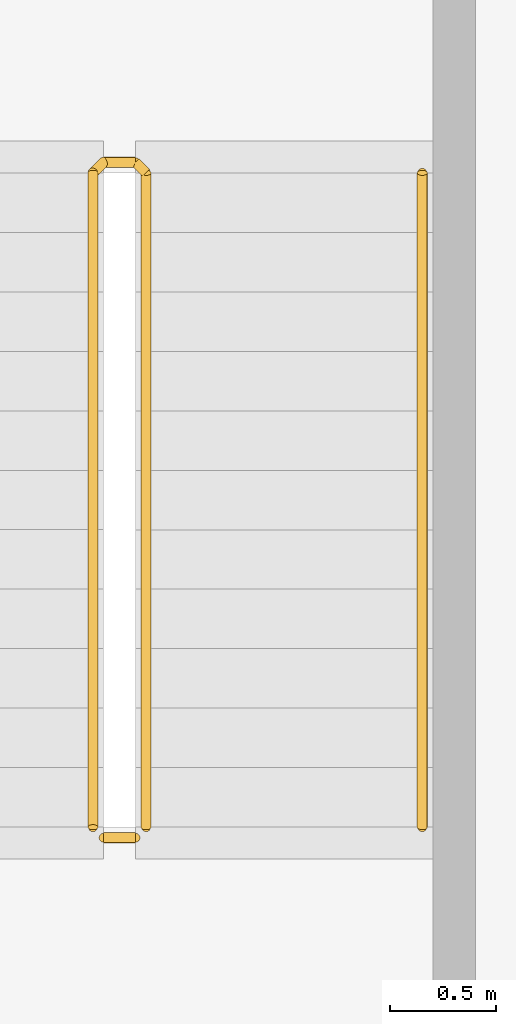
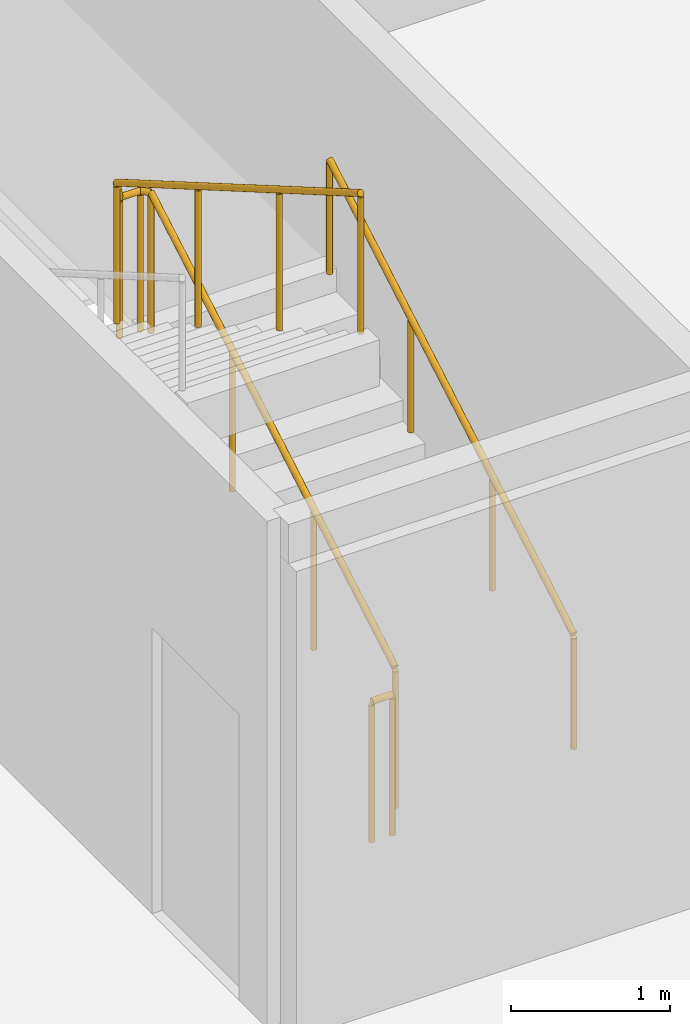
# One storey, part 28 of 29: 3 railings.
"""IFC4 building model written with IfcOpenShell, lengths in metres."""

from ifc_helpers import new_model, si_unit, direction, frame, origin, origin_2d, place, context, subcontext, project, spatial, circle, extrude, material, type_object, element, save


model = new_model("IFC4")

# Units and contexts
model_context = context("Model", 3, precision=1e-05, world=origin(), true_north=direction((0.0, 1.0)))
body_context = subcontext(model_context, "Body", "Model", "MODEL_VIEW")
ifc_project = project(units=[si_unit("LENGTHUNIT", "METRE"), si_unit("AREAUNIT", "SQUARE_METRE"), si_unit("VOLUMEUNIT", "CUBIC_METRE"), si_unit("PLANEANGLEUNIT", "RADIAN"), si_unit("MASSUNIT", "GRAM", prefix="KILO")], contexts=[model_context])

# Site, building, storey
site_placement = place(None, origin())
site = spatial("IfcSite", under=ifc_project, at=site_placement, CompositionType="ELEMENT")
building_placement = place(site_placement, origin())
building = spatial("IfcBuilding", under=site, at=building_placement, Name="Kheshtan School and Residences Tower", CompositionType="ELEMENT")
storey_placement = place(building_placement, frame((0.0, 0.0, 183.800048828125)))
storey = spatial("IfcBuildingStorey", under=building, at=storey_placement, Name="L43", CompositionType="ELEMENT", Elevation=183.800048828125)

# Railings
ifc_material_1 = material(Name="Stainless steel balustrade", Category="steel")
railing_type_1 = type_object("IfcRailingType", Name="Stair guard 1100", PredefinedType="GUARDRAIL", material=ifc_material_1)
railing_1_placement = place(storey_placement, frame((35.0, 80.89990234375, 0.162353515625)))
element("IfcRailing", 1, at=railing_1_placement, inside=storey, type_object=railing_type_1, Name="L43 ST3 stair guard 1", PredefinedType="GUARDRAIL", context=body_context, shape_type="SweptSolid", body=[
    extrude(circle(Radius=0.02392578125, at=origin_2d()), frame((0.0, 0.0, 1.076171875), z_axis=(0.0, 0.864890721111, 0.501960198159), x_axis=(-1.0, 0.0, 0.0)), (0.0, 0.0, 1.0), 3.561279296875),
    extrude(circle(Radius=0.02392578125, at=origin_2d()), frame((0.0, 3.080078125, 2.86376953125), z_axis=(-0.707106781187, 0.707106781187, 0.0), x_axis=(-0.707106781187, -0.707106781187, 0.0)), (0.0, 0.0, 1.0), 0.07080078125),
    extrude(circle(Radius=0.02392578125, at=origin_2d()), frame((-0.050048828125, 3.130126953125, 2.86376953125), z_axis=(-1.0, 0.0, 0.0), x_axis=(0.0, -1.0, 0.0)), (0.0, 0.0, 1.0), 0.14990234375),
    extrude(circle(Radius=0.02392578125, at=origin_2d()), frame((-0.199951171875, 3.130126953125, 2.86376953125), z_axis=(-0.282227285176, -0.282227285176, 0.916894497205), x_axis=(0.707106781187, -0.707106781187, 0.0)), (0.0, 0.0, 1.0), 0.17724609375),
    extrude(circle(Radius=0.02392578125, at=origin_2d()), frame((-0.25, 3.080078125, 3.0263671875), z_axis=(0.0, -0.864920483161, 0.501908913857), x_axis=(1.0, 0.0, 0.0)), (0.0, 0.0, 1.0), 3.56103515625),
    extrude(circle(Radius=0.02099609375, at=origin_2d()), origin(), (0.0, 0.0, 1.0), 1.052001953125),
    extrude(circle(Radius=0.02099609375, at=origin_2d()), frame((0.0, 1.026611328125, 0.595947265625)), (0.0, 0.0, 1.0), 1.052001953125),
    extrude(circle(Radius=0.02099609375, at=origin_2d()), frame((0.0, 2.053466796875, 1.191650390625)), (0.0, 0.0, 1.0), 1.052001953125),
    extrude(circle(Radius=0.02099609375, at=origin_2d()), frame((0.0, 3.080078125, 1.78759765625)), (0.0, 0.0, 1.0), 1.052001953125),
    extrude(circle(Radius=0.02099609375, at=origin_2d()), frame((-0.050048828125, 3.130126953125, 1.78759765625)), (0.0, 0.0, 1.0), 1.052001953125),
    extrude(circle(Radius=0.02099609375, at=origin_2d()), frame((-0.199951171875, 3.130126953125, 1.78759765625)), (0.0, 0.0, 1.0), 1.052001953125),
    extrude(circle(Radius=0.02099609375, at=origin_2d()), frame((-0.25, 3.080078125, 1.9501953125)), (0.0, 0.0, 1.0), 1.052001953125),
    extrude(circle(Radius=0.02099609375, at=origin_2d()), frame((-0.25, 2.053466796875, 2.5458984375)), (0.0, 0.0, 1.0), 1.052001953125),
    extrude(circle(Radius=0.02099609375, at=origin_2d()), frame((-0.25, 1.026611328125, 3.141845703125)), (0.0, 0.0, 1.0), 1.052001953125),
    extrude(circle(Radius=0.02099609375, at=origin_2d()), frame((-0.25, 0.0, 3.737548828125)), (0.0, 0.0, 1.0), 1.052001953125),
])
railing_2_placement = place(storey_placement, frame((34.949951171875, 80.85009765625, 0.0)))
element("IfcRailing", 2, at=railing_2_placement, inside=storey, type_object=railing_type_1, Name="L43 ST3 stair guard 2", PredefinedType="GUARDRAIL", context=body_context, shape_type="SweptSolid", body=[
    extrude(circle(Radius=0.02392578125, at=origin_2d()), frame((0.0, 0.0, 1.076171875), z_axis=(-1.0, 0.0, 0.0), x_axis=(0.0, -1.0, 0.0)), (0.0, 0.0, 1.0), 0.14990234375),
    extrude(circle(Radius=0.02099609375, at=origin_2d()), origin(), (0.0, 0.0, 1.0), 1.052001953125),
    extrude(circle(Radius=0.02099609375, at=origin_2d()), frame((-0.14990234375, 0.0, 0.0)), (0.0, 0.0, 1.0), 1.052001953125),
])
ifc_material_2 = material(Name="Stainless steel handrail", Category="steel")
railing_type_2 = type_object("IfcRailingType", Name="Stair handrail 900", PredefinedType="HANDRAIL", material=ifc_material_2)
railing_3_placement = place(storey_placement, frame((36.300048828125, 80.89990234375, 0.162353515625)))
element("IfcRailing", 3, at=railing_3_placement, inside=storey, type_object=railing_type_2, Name="L43 ST3 stair handrail 1", PredefinedType="HANDRAIL", context=body_context, shape_type="SweptSolid", body=[
    extrude(circle(Radius=0.02392578125, at=origin_2d()), frame((0.0, 0.0, 0.8759765625), z_axis=(0.0, 0.864890721111, 0.501960198159), x_axis=(-1.0, 0.0, 0.0)), (0.0, 0.0, 1.0), 3.561279296875),
    extrude(circle(Radius=0.02099609375, at=origin_2d()), origin(), (0.0, 0.0, 1.0), 0.851806640625),
    extrude(circle(Radius=0.02099609375, at=origin_2d()), frame((0.0, 1.026611328125, 0.595947265625)), (0.0, 0.0, 1.0), 0.851806640625),
    extrude(circle(Radius=0.02099609375, at=origin_2d()), frame((0.0, 2.053466796875, 1.191650390625)), (0.0, 0.0, 1.0), 0.851806640625),
    extrude(circle(Radius=0.02099609375, at=origin_2d()), frame((0.0, 3.080078125, 1.78759765625)), (0.0, 0.0, 1.0), 0.851806640625),
])

save(model, "model.ifc")
